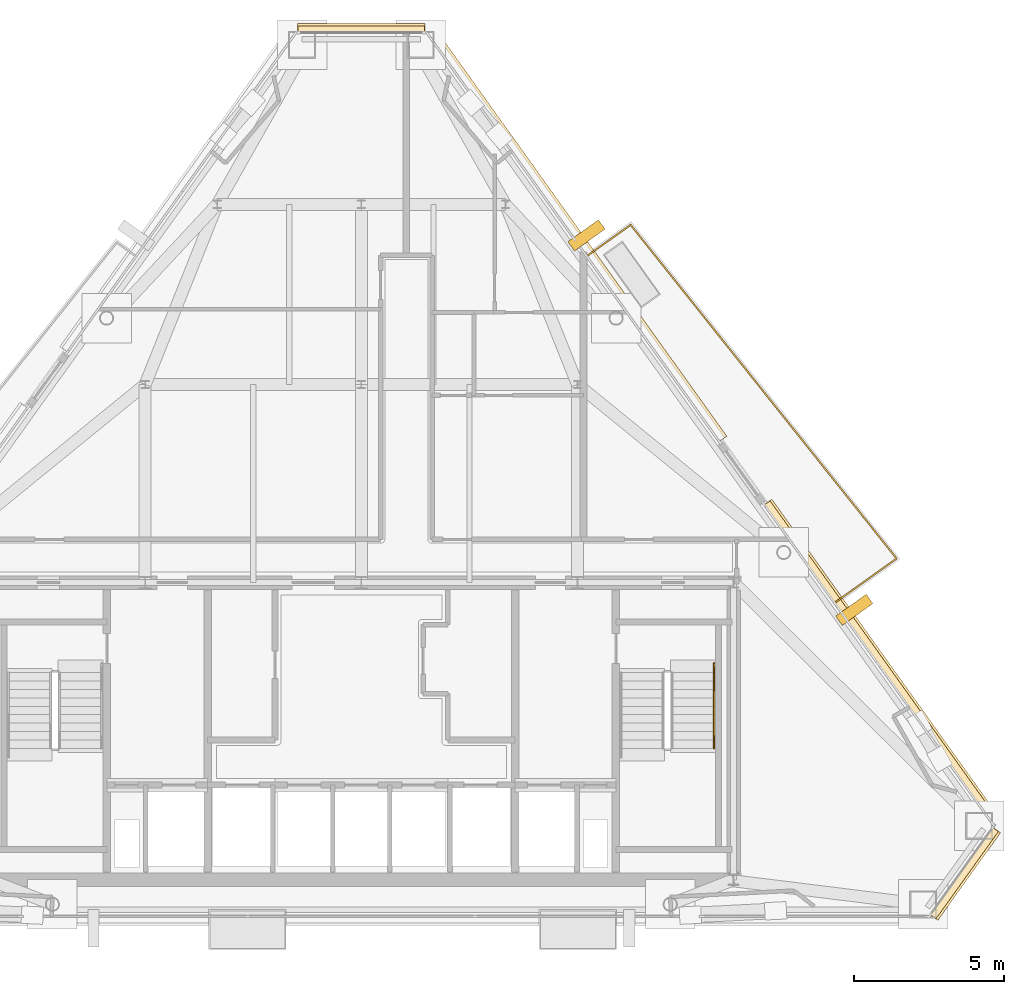
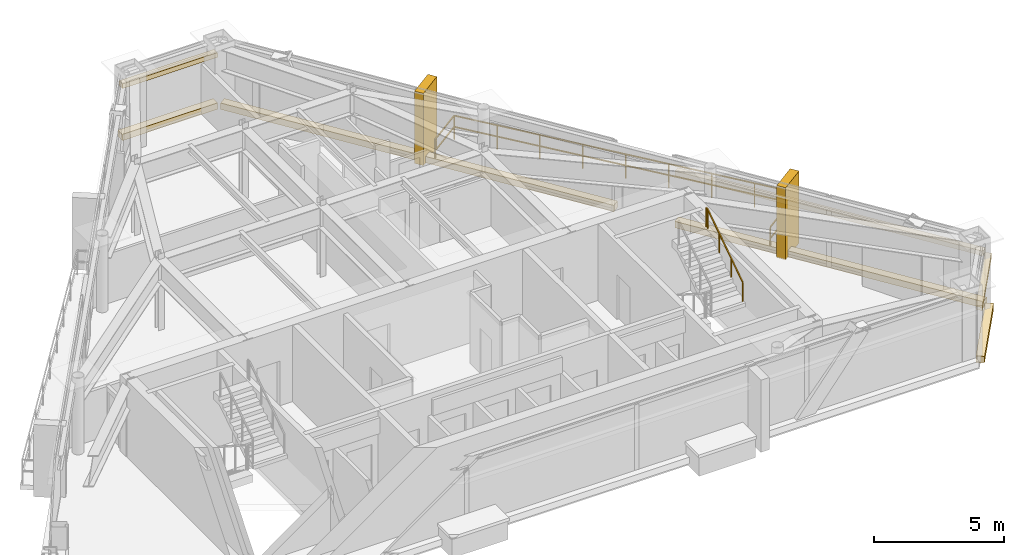
# One storey, part 11 of 11: 9 coverings, 2 railings.
"""IFC4 building model written with IfcOpenShell, lengths in metres."""

from ifc_helpers import new_model, si_unit, direction, frame, origin, origin_2d, place, context, subcontext, project, spatial, rectangle, extrude, material, layer, layer_set, type_object, element, save


model = new_model("IFC4")

# Units and contexts
model_context = context("Model", 3, precision=1e-05, world=origin(), true_north=direction((0.0, 1.0)))
body_context = subcontext(model_context, "Body", "Model", "MODEL_VIEW")
ifc_project = project(units=[si_unit("LENGTHUNIT", "METRE"), si_unit("AREAUNIT", "SQUARE_METRE"), si_unit("VOLUMEUNIT", "CUBIC_METRE"), si_unit("PLANEANGLEUNIT", "RADIAN"), si_unit("MASSUNIT", "GRAM", prefix="KILO")], contexts=[model_context])

# Site, building, storey
site_placement = place(None, origin())
site = spatial("IfcSite", under=ifc_project, at=site_placement, CompositionType="ELEMENT")
building_placement = place(site_placement, origin())
building = spatial("IfcBuilding", under=site, at=building_placement, Name="Talgorran Terracotta Tower", CompositionType="ELEMENT")
storey_placement = place(building_placement, frame((0.0, 0.0, 274.199951171875)))
storey = spatial("IfcBuildingStorey", under=building, at=storey_placement, Name="L72", CompositionType="ELEMENT", Elevation=274.199951171875)

# Coverings
ifc_material_1 = material(Name="Kiln-Fired Terracotta Ochre Ceramic", Category="masonry")
ifc_layer_1 = layer(ifc_material_1, 0.179931640625, Name="COV_BAGUETTE_TERRACOTTA_SCREEN")
ifc_layer_set_1 = layer_set([ifc_layer_1], Name="Kiln-Fired Terracotta Ochre Ceramic")
covering_type_1 = type_object("IfcCoveringType", Name="COV_BAGUETTE_TERRACOTTA_SCREEN", PredefinedType="CLADDING", material=ifc_layer_set_1)
covering_1_placement = place(storey_placement, frame((20.07958984375, -13.869384765625, 2.41015625), z_axis=(0.0, 0.0, 1.0), x_axis=(0.58173974083, 0.813374989743, 0.0)))
element("IfcCovering", 1, at=covering_1_placement, inside=storey, type_object=covering_type_1, Name="L72 Terracotta Baguette Solar Screen Assembly F2", PredefinedType="CLADDING", context=body_context, shape_type="SweptSolid", body=[
    extrude(rectangle(XDim=3.5673828125, YDim=0.260009765625, at=origin_2d()), origin(), (0.0, 0.0, 1.0), 0.219970703125),
])
covering_2_placement = place(storey_placement, frame((17.302490234375, -6.854736328125, 2.41015625), z_axis=(0.0, 0.0, 1.0), x_axis=(-0.58172554467, 0.813385142893, 0.0)))
element("IfcCovering", 2, at=covering_2_placement, inside=storey, type_object=covering_type_1, Name="L72 Terracotta Baguette Solar Screen Assembly F40", PredefinedType="CLADDING", context=body_context, shape_type="SweptSolid", body=[
    extrude(rectangle(XDim=13.034912109375, YDim=0.260009765625, at=origin_2d()), origin(), (0.0, 0.0, 1.0), 0.219970703125),
])
covering_3_placement = place(storey_placement, frame((0.0, 14.216796875, 2.41015625), z_axis=(0.0, 0.0, 1.0), x_axis=(-1.0, 0.0, 0.0)))
element("IfcCovering", 3, at=covering_3_placement, inside=storey, type_object=covering_type_1, Name="L72 Terracotta Baguette Solar Screen Assembly F4", PredefinedType="CLADDING", context=body_context, shape_type="SweptSolid", body=[
    extrude(rectangle(XDim=4.2216796875, YDim=0.260009765625, at=origin_2d()), origin(), (0.0, 0.0, 1.0), 0.219970703125),
])
ifc_material_2 = material(Name="Honed Limestone Cladding", Category="masonry")
ifc_layer_2 = layer(ifc_material_2, 0.094970703125, Name="COV_PORTAL_LIME")
ifc_layer_set_2 = layer_set([ifc_layer_2], Name="Honed Limestone Cladding")
covering_type_2 = type_object("IfcCoveringType", Name="COV_PORTAL_LIME", PredefinedType="CLADDING", material=ifc_layer_set_2)
covering_4_placement = place(storey_placement, frame((20.1123046875, -13.892578125, -0.0400390625), z_axis=(0.0, 0.0, 1.0), x_axis=(0.58173974083, 0.813374989743, 0.0)))
element("IfcCovering", 4, at=covering_4_placement, inside=storey, type_object=covering_type_2, Name="L72 Striped Postmodern Portal Cladding Band F2", PredefinedType="CLADDING", context=body_context, shape_type="SweptSolid", body=[
    extrude(rectangle(XDim=3.58740234375, YDim=0.340087890625, at=origin_2d()), origin(), (0.0, 0.0, 1.0), 0.300048828125),
])
covering_5_placement = place(storey_placement, frame((17.335205078125, -6.83154296875, -0.0400390625), z_axis=(0.0, 0.0, 1.0), x_axis=(-0.58172554467, 0.813385142893, 0.0)))
element("IfcCovering", 5, at=covering_5_placement, inside=storey, type_object=covering_type_2, Name="L72 Striped Postmodern Portal Cladding Band F40", PredefinedType="CLADDING", context=body_context, shape_type="SweptSolid", body=[
    extrude(rectangle(XDim=13.054931640625, YDim=0.340087890625, at=origin_2d()), origin(), (0.0, 0.0, 1.0), 0.300048828125),
])
covering_6_placement = place(storey_placement, frame((7.195068359375, 7.3466796875, -0.0400390625), z_axis=(0.0, 0.0, 1.0), x_axis=(-0.58173974083, 0.813374989743, 0.0)))
element("IfcCovering", 6, at=covering_6_placement, inside=storey, type_object=covering_type_2, Name="L72 Striped Postmodern Portal Cladding Band F41", PredefinedType="CLADDING", context=body_context, shape_type="SweptSolid", body=[
    extrude(rectangle(XDim=16.647216796875, YDim=0.340087890625, at=origin_2d()), origin(), (0.0, 0.0, 1.0), 0.300048828125),
])
covering_7_placement = place(storey_placement, frame((0.0, 14.2568359375, -0.0400390625), z_axis=(0.0, 0.0, 1.0), x_axis=(-1.0, 0.0, 0.0)))
element("IfcCovering", 7, at=covering_7_placement, inside=storey, type_object=covering_type_2, Name="L72 Striped Postmodern Portal Cladding Band F4", PredefinedType="CLADDING", context=body_context, shape_type="SweptSolid", body=[
    extrude(rectangle(XDim=4.24169921875, YDim=0.340087890625, at=origin_2d()), origin(), (0.0, 0.0, 1.0), 0.300048828125),
])
covering_8_placement = place(storey_placement, frame((7.50048828125, 7.366455078125, -0.050048828125), z_axis=(0.0, 0.0, 1.0), x_axis=(-0.58172554467, 0.813385142893, 0.0)))
element("IfcCovering", 8, at=covering_8_placement, inside=storey, type_object=covering_type_2, Name="L72 White Striped Portal Fin F3-2", PredefinedType="CLADDING", context=body_context, shape_type="SweptSolid", body=[
    extrude(rectangle(XDim=0.3798828125, YDim=1.25, at=origin_2d()), origin(), (0.0, 0.0, 1.0), 3.39501953125),
])
ifc_material_3 = material(Name="Kiln-Fired Terracotta Cladding", Category="masonry")
ifc_layer_3 = layer(ifc_material_3, 0.090087890625, Name="COV_PORTAL_TERRA")
ifc_layer_set_3 = layer_set([ifc_layer_3], Name="Kiln-Fired Terracotta Cladding")
covering_type_3 = type_object("IfcCoveringType", Name="COV_PORTAL_TERRA", PredefinedType="CLADDING", material=ifc_layer_set_3)
covering_9_placement = place(storey_placement, frame((16.421875, -5.107421875, -0.050048828125), z_axis=(0.0, 0.0, 1.0), x_axis=(-0.58172554467, 0.813385142893, 0.0)))
element("IfcCovering", 9, at=covering_9_placement, inside=storey, type_object=covering_type_3, Name="L72 Terracotta Striped Portal Fin F3-1", PredefinedType="CLADDING", context=body_context, shape_type="SweptSolid", body=[
    extrude(rectangle(XDim=0.3798828125, YDim=1.25, at=origin_2d()), origin(), (0.0, 0.0, 1.0), 3.39501953125),
])

# Railings
ifc_material_4 = material(Name="Laminated Glass and Stainless Steel 316", Category="steel")
railing_type_1 = type_object("IfcRailingType", Name="RL_BALCONY_1150", PredefinedType="BALUSTRADE", material=ifc_material_4)
railing_1_placement = place(storey_placement, frame((15.781494140625, -4.865234375, 0.0)))
element("IfcRailing", 10, at=railing_1_placement, inside=storey, type_object=railing_type_1, Name="RL-L72-BAL-BAL-NE", PredefinedType="BALUSTRADE", context=body_context, shape_type="SweptSolid", body=[
    extrude(rectangle(XDim=0.048095703125, YDim=0.048095703125, at=origin_2d()), frame((0.0, 0.0, 1.1259765625), z_axis=(0.813412745549, 0.581686947918, 0.0), x_axis=(-0.581686947918, 0.813412745549, 0.0)), (0.0, 0.0, 1.0), 2.521240234375),
    extrude(rectangle(XDim=0.048095703125, YDim=0.048095703125, at=origin_2d()), frame((0.0, 0.0, 0.597900390625), z_axis=(0.813412745549, 0.581686947918, 0.0), x_axis=(-0.581686947918, 0.813412745549, 0.0)), (0.0, 0.0, 1.0), 2.521240234375),
    extrude(rectangle(XDim=0.048095703125, YDim=0.048095703125, at=origin_2d()), frame((2.05078125, 1.466552734375, 1.1259765625), z_axis=(-0.623311850388, 0.781973360905, 0.0), x_axis=(-0.781973360905, -0.623311850388, 0.0)), (0.0, 0.0, 1.0), 14.216552734375),
    extrude(rectangle(XDim=0.048095703125, YDim=0.048095703125, at=origin_2d()), frame((2.05078125, 1.466552734375, 0.597900390625), z_axis=(-0.623311850388, 0.781973360905, 0.0), x_axis=(-0.781973360905, -0.623311850388, 0.0)), (0.0, 0.0, 1.0), 14.216552734375),
    extrude(rectangle(XDim=0.048095703125, YDim=0.048095703125, at=origin_2d()), frame((-6.810546875, 12.58349609375, 1.1259765625), z_axis=(-0.813353457782, -0.58176984514, 0.0), x_axis=(0.58176984514, -0.813353457782, 0.0)), (0.0, 0.0, 1.0), 1.780517578125),
    extrude(rectangle(XDim=0.048095703125, YDim=0.048095703125, at=origin_2d()), frame((-6.810546875, 12.58349609375, 0.597900390625), z_axis=(-0.813353457782, -0.58176984514, 0.0), x_axis=(0.58176984514, -0.813353457782, 0.0)), (0.0, 0.0, 1.0), 1.780517578125),
    extrude(rectangle(XDim=0.0419921875, YDim=0.0419921875, at=origin_2d()), origin(), (0.0, 0.0, 1.0), 1.101806640625),
    extrude(rectangle(XDim=0.0419921875, YDim=0.0419921875, at=origin_2d()), frame((1.025390625, 0.7333984375, 0.0)), (0.0, 0.0, 1.0), 1.101806640625),
    extrude(rectangle(XDim=0.0419921875, YDim=0.0419921875, at=origin_2d()), frame((2.05078125, 1.466552734375, 0.0)), (0.0, 0.0, 1.0), 1.101806640625),
    extrude(rectangle(XDim=0.0419921875, YDim=0.0419921875, at=origin_2d()), frame((0.943115234375, 2.856201171875, 0.0)), (0.0, 0.0, 1.0), 1.101806640625),
    extrude(rectangle(XDim=0.0419921875, YDim=0.0419921875, at=origin_2d()), frame((-0.16455078125, 4.245849609375, 0.0)), (0.0, 0.0, 1.0), 1.101806640625),
    extrude(rectangle(XDim=0.0419921875, YDim=0.0419921875, at=origin_2d()), frame((-1.272216796875, 5.635498046875, 0.0)), (0.0, 0.0, 1.0), 1.101806640625),
    extrude(rectangle(XDim=0.0419921875, YDim=0.0419921875, at=origin_2d()), frame((-2.3798828125, 7.02490234375, 0.0)), (0.0, 0.0, 1.0), 1.101806640625),
    extrude(rectangle(XDim=0.0419921875, YDim=0.0419921875, at=origin_2d()), frame((-3.487548828125, 8.41455078125, 0.0)), (0.0, 0.0, 1.0), 1.101806640625),
    extrude(rectangle(XDim=0.0419921875, YDim=0.0419921875, at=origin_2d()), frame((-4.59521484375, 9.80419921875, 0.0)), (0.0, 0.0, 1.0), 1.101806640625),
    extrude(rectangle(XDim=0.0419921875, YDim=0.0419921875, at=origin_2d()), frame((-5.702880859375, 11.19384765625, 0.0)), (0.0, 0.0, 1.0), 1.101806640625),
    extrude(rectangle(XDim=0.0419921875, YDim=0.0419921875, at=origin_2d()), frame((-6.810546875, 12.58349609375, 0.0)), (0.0, 0.0, 1.0), 1.101806640625),
    extrude(rectangle(XDim=0.0419921875, YDim=0.0419921875, at=origin_2d()), frame((-8.2587890625, 11.547607421875, 0.0)), (0.0, 0.0, 1.0), 1.101806640625),
])
ifc_material_5 = material(Name="Steel S355 (300PLUS)", Category="steel")
railing_type_2 = type_object("IfcRailingType", Name="RL_HANDRAIL_920", PredefinedType="HANDRAIL", material=ifc_material_5)
railing_2_placement = place(storey_placement, frame((11.75, -9.719970703125, 1.97998046875)))
element("IfcRailing", 11, at=railing_2_placement, inside=storey, type_object=railing_type_2, Name="L72 ST-02 stair handrail 2", PredefinedType="HANDRAIL", context=body_context, shape_type="SweptSolid", body=[
    extrude(rectangle(XDim=0.048095703125, YDim=0.048095703125, at=origin_2d()), frame((0.0, 0.0, 0.89599609375), z_axis=(0.0, 0.832038719335, 0.554717558338), x_axis=(-1.0, 0.0, 0.0)), (0.0, 0.0, 1.0), 3.244873046875),
    extrude(rectangle(XDim=0.048095703125, YDim=0.048095703125, at=origin_2d()), frame((0.0, 2.699951171875, 2.69580078125), z_axis=(0.0, 1.0, 0.0), x_axis=(-1.0, 0.0, 0.0)), (0.0, 0.0, 1.0), 0.1201171875),
    extrude(rectangle(XDim=0.0419921875, YDim=0.0419921875, at=origin_2d()), origin(), (0.0, 0.0, 1.0), 0.871826171875),
    extrude(rectangle(XDim=0.0419921875, YDim=0.0419921875, at=origin_2d()), frame((0.0, 0.89990234375, 0.60009765625)), (0.0, 0.0, 1.0), 0.871826171875),
    extrude(rectangle(XDim=0.0419921875, YDim=0.0419921875, at=origin_2d()), frame((0.0, 1.800048828125, 1.199951171875)), (0.0, 0.0, 1.0), 0.871826171875),
    extrude(rectangle(XDim=0.0419921875, YDim=0.0419921875, at=origin_2d()), frame((0.0, 2.699951171875, 1.800048828125)), (0.0, 0.0, 1.0), 0.871826171875),
    extrude(rectangle(XDim=0.0419921875, YDim=0.0419921875, at=origin_2d()), frame((0.0, 2.820068359375, 1.800048828125)), (0.0, 0.0, 1.0), 0.871826171875),
])

save(model, "model.ifc")
